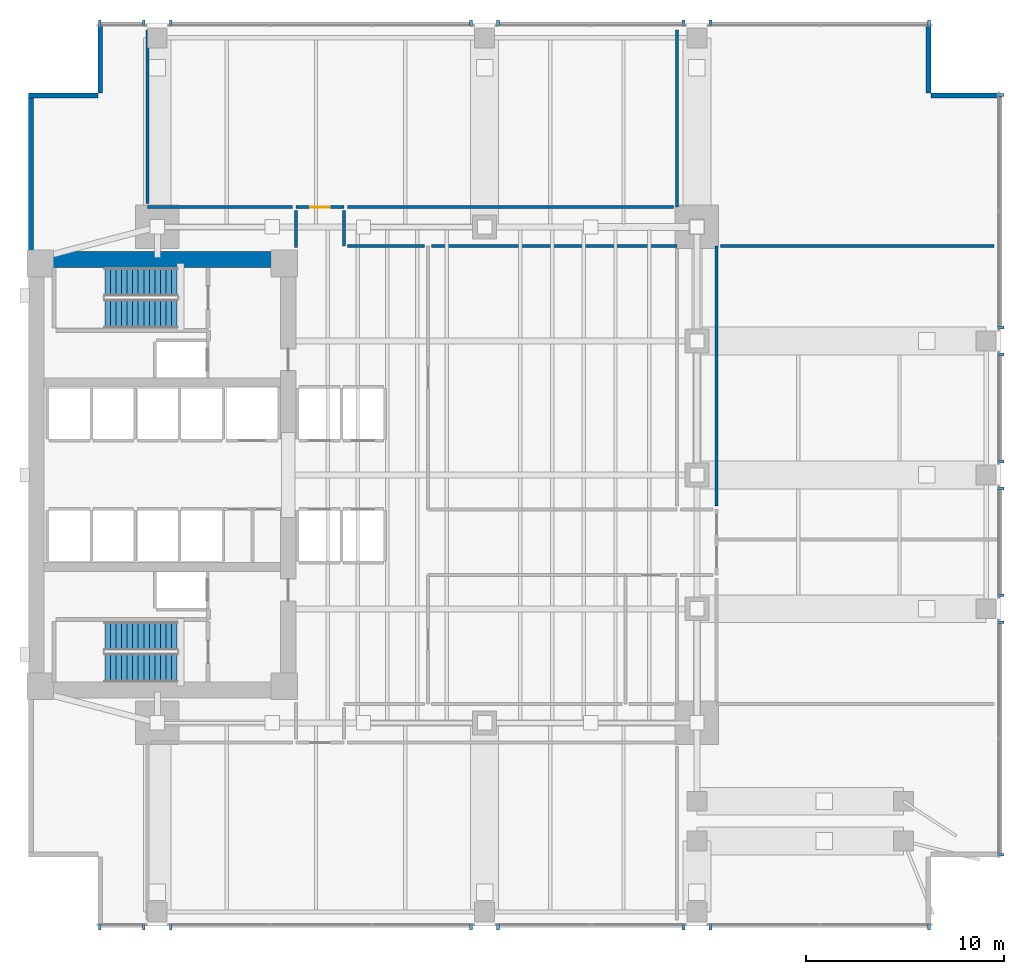
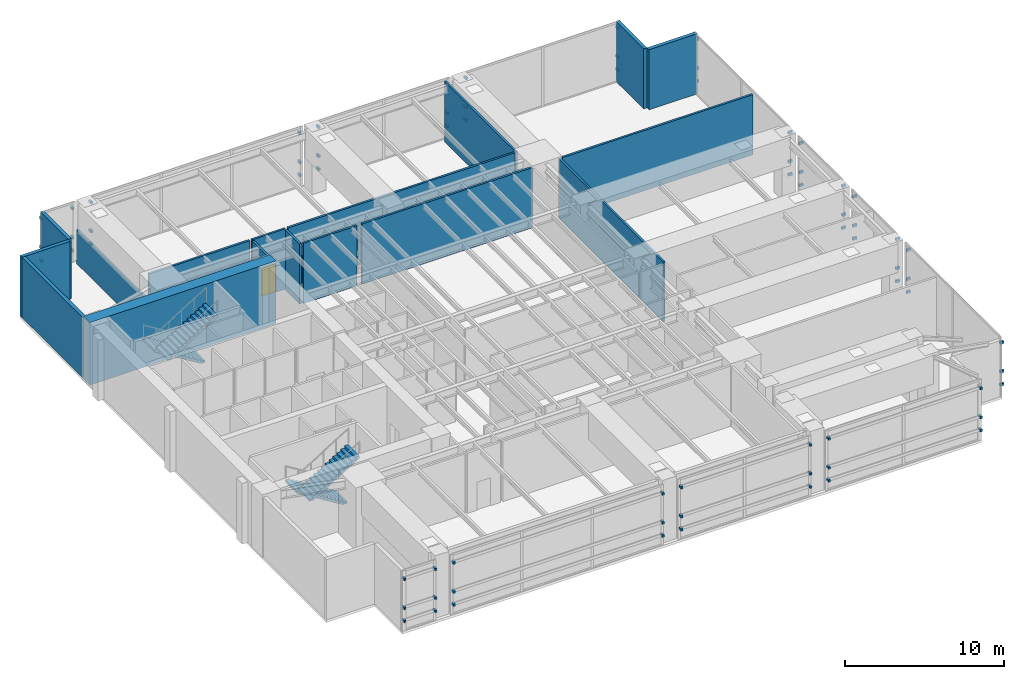
# One storey, part 10 of 14: 72 discrete accessories, 17 walls, 4 stair flights, 1 door, 1 opening, 2 elements without a shape of their own.
"""IFC4 building model written with IfcOpenShell, lengths in metres."""

from ifc_helpers import new_model, si_unit, direction, frame, frame_2d, origin, origin_2d, place, context, subcontext, project, spatial, polyline, rectangle, outline, extrude, material, layer, layer_set, type_object, element, fill, aggregate, save


model = new_model("IFC4")

# Units and contexts
model_context = context("Model", 3, precision=1e-05, world=origin(), true_north=direction((0.0, 1.0)))
body_context = subcontext(model_context, "Body", "Model", "MODEL_VIEW")
ifc_project = project(units=[si_unit("LENGTHUNIT", "METRE"), si_unit("AREAUNIT", "SQUARE_METRE"), si_unit("VOLUMEUNIT", "CUBIC_METRE"), si_unit("PLANEANGLEUNIT", "RADIAN"), si_unit("MASSUNIT", "GRAM", prefix="KILO")], contexts=[model_context])

# Site, building, storey
site_placement = place(None, origin())
site = spatial("IfcSite", under=ifc_project, at=site_placement, CompositionType="ELEMENT")
building_placement = place(site_placement, origin())
building = spatial("IfcBuilding", under=site, at=building_placement, Name="Kinhvarn Gate Tower", CompositionType="ELEMENT")
storey_placement = place(building_placement, frame((0.0, 0.0, 93.050048828125)))
storey = spatial("IfcBuildingStorey", under=building, at=storey_placement, Name="L24", CompositionType="ELEMENT", Elevation=93.050048828125)

# Walls
ifc_material_1 = material(Name="Concrete C70/85", Category="concrete")
ifc_layer_1 = layer(ifc_material_1, 0.800048828125)
ifc_layer_set_1 = layer_set([ifc_layer_1], Name="Concrete C70/85")
wall_type_1 = type_object("IfcWallType", Name="WL-CORE-800", PredefinedType="SHEAR", material=ifc_layer_set_1)
wall_1_placement = place(storey_placement, frame((4.5, 36.10009765625, 0.0), z_axis=(0.0, 0.0, 1.0), x_axis=(1.0, 0.0, 0.0)))
element("IfcWall", 1, at=wall_1_placement, inside=storey, type_object=wall_type_1, Name="Core North Shear Wall L24 800 mm", PredefinedType="SHEAR", context=body_context, shape_type="SweptSolid", body=[
    extrude(rectangle(XDim=13.5, YDim=0.800048828125, at=frame_2d((6.75, 0.0))), origin(), (0.0, 0.0, 1.0), 4.800048828125),
])
ifc_material_2 = material(Name="Fired architectural terracotta", Category="masonry")
ifc_layer_2 = layer(ifc_material_2, 0.25)
ifc_layer_set_2 = layer_set([ifc_layer_2], Name="Fired architectural terracotta")
wall_type_2 = type_object("IfcWallType", Name="WL-EXT-250", PredefinedType="SOLIDWALL", material=ifc_layer_set_2)
wall_2_placement = place(storey_placement, frame((4.625, 44.5, 0.0), z_axis=(0.0, 0.0, 1.0), x_axis=(0.0, -1.0, 0.0)))
element("IfcWall", 2, at=wall_2_placement, inside=storey, type_object=wall_type_2, Name="Exterior Solidwall Wall EW-250 (L24 West-North)", PredefinedType="SOLIDWALL", context=body_context, shape_type="SweptSolid", body=[
    extrude(rectangle(XDim=8.0, YDim=0.25, at=frame_2d((4.0, 0.0))), origin(), (0.0, 0.0, 1.0), 4.619873046875),
])
for number, where, z_axis, x_axis, name in (
    (3, (53.5, 44.375, 0.0), (0.0, 0.0, 1.0), (-1.0, 0.0, 0.0), "Exterior Solidwall Wall EW-250 (L24 NE-Notch-1)"),
    (4, (49.875, 44.5, 0.0), (0.0, 0.0, 1.0), (0.0, 1.0, 0.0), "Exterior Solidwall Wall EW-250 (L24 NE-Notch-2)"),
    (5, (8.125, 48.0, 0.0), (0.0, 0.0, 1.0), (0.0, -1.0, 0.0), "Exterior Solidwall Wall EW-250 (L24 NW-Notch-1)"),
    (6, (8.0, 44.375, 0.0), (0.0, 0.0, 1.0), (-1.0, 0.0, 0.0), "Exterior Solidwall Wall EW-250 (L24 NW-Notch-2)"),
):
    element("IfcWall", number, at=place(storey_placement, frame(where, z_axis=z_axis, x_axis=x_axis)), inside=storey, type_object=wall_type_2, Name=name, PredefinedType="SOLIDWALL", context=body_context, shape_type="SweptSolid", body=[
        extrude(rectangle(XDim=3.5, YDim=0.25, at=frame_2d((1.75, 0.0))), origin(), (0.0, 0.0, 1.0), 4.619873046875),
    ])

# Wall, opening, door
ifc_material_3 = material(Name="Gypsum acoustic partition board")
ifc_layer_3 = layer(ifc_material_3, 0.14990234375)
ifc_layer_set_3 = layer_set([ifc_layer_3], Name="Gypsum acoustic partition board")
wall_type_3 = type_object("IfcWallType", Name="WL-PRT-150F", PredefinedType="PARTITIONING", material=ifc_layer_set_3)
wall_3_placement = place(storey_placement, frame((18.0, 38.75, 0.0), z_axis=(0.0, 0.0, 1.0), x_axis=(1.0, 0.0, 0.0)))
wall_3 = element("IfcWall", 7, at=wall_3_placement, inside=storey, type_object=wall_type_3, Name="Interior Partition PW-150F (L24)", PredefinedType="PARTITIONING", context=body_context, shape_type="SweptSolid", body=[
    extrude(rectangle(XDim=2.39990234375, YDim=0.14990234375, at=frame_2d((1.199951171875, 0.0))), origin(), (0.0, 0.0, 1.0), 4.619873046875),
])
opening_placement = place(wall_3_placement, frame((0.699951171875, 0.0, 0.0)))
opening = element("IfcOpeningElement", 8, at=opening_placement, cuts=wall_3, Name="Opening FD-03", PredefinedType="OPENING", context=body_context, shape_type="SweptSolid", body=[
    extrude(rectangle(XDim=1.0, YDim=2.14990234375, at=frame_2d((0.5, 1.074951171875))), frame((0.0, 0.0849609375, 0.0), z_axis=(0.0, -1.0, 0.0), x_axis=(1.0, 0.0, 0.0)), (0.0, 0.0, 1.0), 0.169921875),
])
ifc_material_4 = material(Name="Anodised aluminium AW-6063", Category="aluminium")
door_type = type_object("IfcDoorType", Name="DR-FD-1000", OperationType="NOTDEFINED", PredefinedType="DOOR", material=ifc_material_4)
door_placement = place(opening_placement, origin())
door = element("IfcDoor", 9, at=door_placement, inside=storey, type_object=door_type, Name="Rated Plant & Corridor Fire Door 1000x2150 mm (L24)", OperationType="SINGLE_SWING_RIGHT", OverallHeight=2.14990234375, OverallWidth=1.0, PredefinedType="DOOR", context=body_context, shape_type="SweptSolid", body=[
    extrude(rectangle(XDim=1.0, YDim=2.14990234375, at=frame_2d((0.5, 1.074951171875))), frame((0.0, 0.02490234375, 0.0), z_axis=(0.0, -1.0, 0.0), x_axis=(1.0, 0.0, 0.0)), (0.0, 0.0, 1.0), 0.050048828125),
])
fill(opening, door)

# Walls
wall_4_placement = place(storey_placement, frame((18.0, 36.719970703125, 0.0), z_axis=(0.0, 0.0, 1.0), x_axis=(0.0, 1.0, 0.0)))
element("IfcWall", 10, at=wall_4_placement, inside=storey, type_object=wall_type_3, Name="Interior Partition PW-150F (L24)", PredefinedType="PARTITIONING", context=body_context, shape_type="SweptSolid", body=[
    extrude(rectangle(XDim=1.85009765625, YDim=0.14990234375, at=frame_2d((0.925048828125, 0.0))), origin(), (0.0, 0.0, 1.0), 4.619873046875),
])
wall_5_placement = place(storey_placement, frame((17.820068359375, 38.75, 0.0), z_axis=(0.0, 0.0, 1.0), x_axis=(-1.0, 0.0, 0.0)))
element("IfcWall", 11, at=wall_5_placement, inside=storey, type_object=wall_type_3, Name="Interior Partition PW-150F (L24)", PredefinedType="PARTITIONING", context=body_context, shape_type="SweptSolid", body=[
    extrude(rectangle(XDim=7.320068359375, YDim=0.14990234375, at=frame_2d((3.66015625, 0.0))), origin(), (0.0, 0.0, 1.0), 4.619873046875),
])
wall_6_placement = place(storey_placement, frame((10.5, 38.929931640625, 0.0), z_axis=(0.0, 0.0, 1.0), x_axis=(0.0, 1.0, 0.0)))
element("IfcWall", 12, at=wall_6_placement, inside=storey, type_object=wall_type_3, Name="Interior Partition PW-150F (L24)", PredefinedType="PARTITIONING", context=body_context, shape_type="SweptSolid", body=[
    extrude(rectangle(XDim=8.75, YDim=0.14990234375, at=frame_2d((4.375, 0.0))), origin(), (0.0, 0.0, 1.0), 2.599853515625),
])
wall_7_placement = place(storey_placement, frame((37.199951171875, 47.679931640625, 0.0), z_axis=(0.0, 0.0, 1.0), x_axis=(0.0, -1.0, 0.0)))
element("IfcWall", 13, at=wall_7_placement, inside=storey, type_object=wall_type_3, Name="Interior Partition PW-150F (L24)", PredefinedType="PARTITIONING", context=body_context, shape_type="SweptSolid", body=[
    extrude(rectangle(XDim=8.929931640625, YDim=0.14990234375, at=frame_2d((4.46484375, 0.0))), origin(), (0.0, 0.0, 1.0), 4.619873046875),
])
wall_8_placement = place(storey_placement, frame((37.02001953125, 38.75, 0.0), z_axis=(0.0, 0.0, 1.0), x_axis=(-1.0, 0.0, 0.0)))
element("IfcWall", 14, at=wall_8_placement, inside=storey, type_object=wall_type_3, Name="Interior Partition PW-150F (L24)", PredefinedType="PARTITIONING", context=body_context, shape_type="SweptSolid", body=[
    extrude(rectangle(XDim=16.43994140625, YDim=0.14990234375, at=frame_2d((8.219970703125, 0.0))), origin(), (0.0, 0.0, 1.0), 4.619873046875),
])
wall_9_placement = place(storey_placement, frame((20.39990234375, 38.570068359375, 0.0), z_axis=(0.0, 0.0, 1.0), x_axis=(0.0, -1.0, 0.0)))
element("IfcWall", 15, at=wall_9_placement, inside=storey, type_object=wall_type_3, Name="Interior Partition PW-150F (L24)", PredefinedType="PARTITIONING", context=body_context, shape_type="SweptSolid", body=[
    extrude(rectangle(XDim=1.77001953125, YDim=0.14990234375, at=frame_2d((0.885009765625, 0.0))), origin(), (0.0, 0.0, 1.0), 4.619873046875),
])
wall_10_placement = place(storey_placement, frame((20.580078125, 36.800048828125, 0.0), z_axis=(0.0, 0.0, 1.0), x_axis=(1.0, 0.0, 0.0)))
element("IfcWall", 16, at=wall_10_placement, inside=storey, type_object=wall_type_3, Name="Interior Partition PW-150F (L24)", PredefinedType="PARTITIONING", context=body_context, shape_type="SweptSolid", body=[
    extrude(rectangle(XDim=3.889892578125, YDim=0.14990234375, at=frame_2d((1.94482421875, 0.0))), origin(), (0.0, 0.0, 1.0), 4.619873046875),
])
wall_11_placement = place(storey_placement, frame((24.830078125, 36.800048828125, 0.0), z_axis=(0.0, 0.0, 1.0), x_axis=(1.0, 0.0, 0.0)))
element("IfcWall", 17, at=wall_11_placement, inside=storey, type_object=wall_type_3, Name="Interior Partition PW-150F (L24)", PredefinedType="PARTITIONING", context=body_context, shape_type="SweptSolid", body=[
    extrude(rectangle(XDim=12.369873046875, YDim=0.14990234375, at=frame_2d((6.18505859375, 0.0))), origin(), (0.0, 0.0, 1.0), 4.619873046875),
])
wall_12_placement = place(storey_placement, frame((39.199951171875, 23.679931640625, 0.0), z_axis=(0.0, 0.0, 1.0), x_axis=(0.0, 1.0, 0.0)))
element("IfcWall", 18, at=wall_12_placement, inside=storey, type_object=wall_type_3, Name="Interior Partition PW-150F (L24)", PredefinedType="PARTITIONING", context=body_context, shape_type="SweptSolid", body=[
    extrude(rectangle(XDim=13.1201171875, YDim=0.14990234375, at=frame_2d((6.56005859375, 0.0))), origin(), (0.0, 0.0, 1.0), 4.619873046875),
])
wall_13_placement = place(storey_placement, frame((39.3798828125, 36.800048828125, 0.0), z_axis=(0.0, 0.0, 1.0), x_axis=(1.0, 0.0, 0.0)))
element("IfcWall", 19, at=wall_13_placement, inside=storey, type_object=wall_type_3, Name="Interior Partition PW-150F (L24)", PredefinedType="PARTITIONING", context=body_context, shape_type="SweptSolid", body=[
    extrude(rectangle(XDim=13.800048828125, YDim=0.14990234375, at=frame_2d((6.89990234375, 0.0))), origin(), (0.0, 0.0, 1.0), 4.619873046875),
])

# Stair, stair flights
ifc_material_5 = material(Name="Concrete C40/50", Category="concrete")
stair_type = type_object("IfcStairType", Name="STR-DLG-171", PredefinedType="HALF_TURN_STAIR", material=ifc_material_5)
stair_1_placement = place(storey_placement, origin())
stair_1 = element("IfcStair", 20, at=stair_1_placement, inside=storey, type_object=stair_type, Name="L24 Core Smokeproof Exit Stair ST1", PredefinedType="HALF_TURN_STAIR")
stair_flight_type = type_object("IfcStairFlightType", Name="STF-DLG-171", PredefinedType="STRAIGHT", material=ifc_material_5)
stair_flight_1_placement = place(storey_placement, frame((12.0, 17.125, 0.0), z_axis=(0.0, 0.0, 1.0), x_axis=(-1.0, 0.0, 0.0)))
stair_flight_1 = element("IfcStairFlight", 21, at=stair_flight_1_placement, type_object=stair_flight_type, Name="ST1 flight 1", NumberOfRisers=14, NumberOfTreads=13, PredefinedType="STRAIGHT", RiserHeight=0.171428571, TreadLength=0.28, context=body_context, shape_type="SweptSolid", body=[
    extrude(outline(polyline([(0.0, 0.0), (0.0, 0.17138671875), (0.280029296875, 0.17138671875), (0.280029296875, 0.3427734375), (0.56005859375, 0.3427734375), (0.56005859375, 0.514404296875), (0.840087890625, 0.514404296875), (0.840087890625, 0.685791015625), (1.1201171875, 0.685791015625), (1.1201171875, 0.857177734375), (1.39990234375, 0.857177734375), (1.39990234375, 1.028564453125), (1.679931640625, 1.028564453125), (1.679931640625, 1.199951171875), (1.9599609375, 1.199951171875), (1.9599609375, 1.371337890625), (2.239990234375, 1.371337890625), (2.239990234375, 1.54296875), (2.52001953125, 1.54296875), (2.52001953125, 1.71435546875), (2.800048828125, 1.71435546875), (2.800048828125, 1.8857421875), (3.080078125, 1.8857421875), (3.080078125, 2.05712890625), (3.360107421875, 2.05712890625), (3.360107421875, 2.228515625), (3.639892578125, 2.228515625), (3.639892578125, 2.39990234375), (3.639892578125, 2.052734375), (0.287109375, 0.0), (0.0, 0.0)])), frame((0.0, 0.72509765625, 0.0), z_axis=(0.0, -1.0, 0.0), x_axis=(1.0, 0.0, 0.0)), (0.0, 0.0, 1.0), 1.449951171875),
])
stair_flight_2_placement = place(storey_placement, frame((8.360107421875, 15.52490234375, 2.39990234375), z_axis=(0.0, 0.0, 1.0), x_axis=(1.0, 0.0, 0.0)))
stair_flight_2 = element("IfcStairFlight", 22, at=stair_flight_2_placement, type_object=stair_flight_type, Name="ST1 flight 2", NumberOfRisers=14, NumberOfTreads=13, PredefinedType="STRAIGHT", RiserHeight=0.171428571, TreadLength=0.28, context=body_context, shape_type="SweptSolid", body=[
    extrude(outline(polyline([(0.0, 0.0), (0.0, 0.17138671875), (0.280029296875, 0.17138671875), (0.280029296875, 0.3427734375), (0.56005859375, 0.3427734375), (0.56005859375, 0.514404296875), (0.840087890625, 0.514404296875), (0.840087890625, 0.685791015625), (1.1201171875, 0.685791015625), (1.1201171875, 0.857177734375), (1.39990234375, 0.857177734375), (1.39990234375, 1.028564453125), (1.679931640625, 1.028564453125), (1.679931640625, 1.199951171875), (1.9599609375, 1.199951171875), (1.9599609375, 1.371337890625), (2.239990234375, 1.371337890625), (2.239990234375, 1.54296875), (2.52001953125, 1.54296875), (2.52001953125, 1.71435546875), (2.800048828125, 1.71435546875), (2.800048828125, 1.8857421875), (3.080078125, 1.8857421875), (3.080078125, 2.05712890625), (3.360107421875, 2.05712890625), (3.360107421875, 2.228515625), (3.639892578125, 2.228515625), (3.639892578125, 2.39990234375), (3.639892578125, 2.052734375), (0.287109375, 0.0), (0.0, 0.0)])), frame((0.0, 0.72509765625, 0.0), z_axis=(0.0, -1.0, 0.0), x_axis=(1.0, 0.0, 0.0)), (0.0, 0.0, 1.0), 1.449951171875),
])
aggregate(stair_1, [stair_flight_1, stair_flight_2])

stair_2_placement = place(storey_placement, origin())
stair_2 = element("IfcStair", 23, at=stair_2_placement, inside=storey, type_object=stair_type, Name="L24 Core Smokeproof Exit Stair ST2", PredefinedType="HALF_TURN_STAIR")
stair_flight_3_placement = place(storey_placement, frame((12.0, 34.97509765625, 0.0), z_axis=(0.0, 0.0, 1.0), x_axis=(-1.0, 0.0, 0.0)))
stair_flight_3 = element("IfcStairFlight", 24, at=stair_flight_3_placement, type_object=stair_flight_type, Name="ST2 flight 1", NumberOfRisers=14, NumberOfTreads=13, PredefinedType="STRAIGHT", RiserHeight=0.171428571, TreadLength=0.28, context=body_context, shape_type="SweptSolid", body=[
    extrude(outline(polyline([(0.0, 0.0), (0.0, 0.17138671875), (0.280029296875, 0.17138671875), (0.280029296875, 0.3427734375), (0.56005859375, 0.3427734375), (0.56005859375, 0.514404296875), (0.840087890625, 0.514404296875), (0.840087890625, 0.685791015625), (1.1201171875, 0.685791015625), (1.1201171875, 0.857177734375), (1.39990234375, 0.857177734375), (1.39990234375, 1.028564453125), (1.679931640625, 1.028564453125), (1.679931640625, 1.199951171875), (1.9599609375, 1.199951171875), (1.9599609375, 1.371337890625), (2.239990234375, 1.371337890625), (2.239990234375, 1.54296875), (2.52001953125, 1.54296875), (2.52001953125, 1.71435546875), (2.800048828125, 1.71435546875), (2.800048828125, 1.8857421875), (3.080078125, 1.8857421875), (3.080078125, 2.05712890625), (3.360107421875, 2.05712890625), (3.360107421875, 2.228515625), (3.639892578125, 2.228515625), (3.639892578125, 2.39990234375), (3.639892578125, 2.052734375), (0.287109375, 0.0), (0.0, 0.0)])), frame((0.0, 0.72509765625, 0.0), z_axis=(0.0, -1.0, 0.0), x_axis=(1.0, 0.0, 0.0)), (0.0, 0.0, 1.0), 1.449951171875),
])
stair_flight_4_placement = place(storey_placement, frame((8.360107421875, 33.375, 2.39990234375), z_axis=(0.0, 0.0, 1.0), x_axis=(1.0, 0.0, 0.0)))
stair_flight_4 = element("IfcStairFlight", 25, at=stair_flight_4_placement, type_object=stair_flight_type, Name="ST2 flight 2", NumberOfRisers=14, NumberOfTreads=13, PredefinedType="STRAIGHT", RiserHeight=0.171428571, TreadLength=0.28, context=body_context, shape_type="SweptSolid", body=[
    extrude(outline(polyline([(0.0, 0.0), (0.0, 0.17138671875), (0.280029296875, 0.17138671875), (0.280029296875, 0.3427734375), (0.56005859375, 0.3427734375), (0.56005859375, 0.514404296875), (0.840087890625, 0.514404296875), (0.840087890625, 0.685791015625), (1.1201171875, 0.685791015625), (1.1201171875, 0.857177734375), (1.39990234375, 0.857177734375), (1.39990234375, 1.028564453125), (1.679931640625, 1.028564453125), (1.679931640625, 1.199951171875), (1.9599609375, 1.199951171875), (1.9599609375, 1.371337890625), (2.239990234375, 1.371337890625), (2.239990234375, 1.54296875), (2.52001953125, 1.54296875), (2.52001953125, 1.71435546875), (2.800048828125, 1.71435546875), (2.800048828125, 1.8857421875), (3.080078125, 1.8857421875), (3.080078125, 2.05712890625), (3.360107421875, 2.05712890625), (3.360107421875, 2.228515625), (3.639892578125, 2.228515625), (3.639892578125, 2.39990234375), (3.639892578125, 2.052734375), (0.287109375, 0.0), (0.0, 0.0)])), frame((0.0, 0.72509765625, 0.0), z_axis=(0.0, -1.0, 0.0), x_axis=(1.0, 0.0, 0.0)), (0.0, 0.0, 1.0), 1.449951171875),
])
aggregate(stair_2, [stair_flight_3, stair_flight_4])

# Discrete accessories
discrete_accessory_type = type_object("IfcDiscreteAccessoryType", Name="ACC-BRK-01", PredefinedType="BRACKET", material=ifc_material_4)
for number, where, z_axis, x_axis, name in (
    (26, (8.10009765625, 2.4599609375, 0.759765625), (0.0, 0.0, 1.0), (1.0, 0.0, 0.0), "Baguette Support Bracket BK-01 (L24)"),
    (27, (8.10009765625, 2.4599609375, 1.759765625), (0.0, 0.0, 1.0), (1.0, 0.0, 0.0), "Baguette Support Bracket BK-01 (L24)"),
    (28, (8.10009765625, 2.4599609375, 3.97998046875), (0.0, 0.0, 1.0), (1.0, 0.0, 0.0), "Baguette Support Bracket BK-01 (L24)"),
    (29, (10.320068359375, 2.4599609375, 0.759765625), (0.0, 0.0, 1.0), (1.0, 0.0, 0.0), "Baguette Support Bracket BK-01 (L24)"),
    (30, (10.320068359375, 2.4599609375, 1.759765625), (0.0, 0.0, 1.0), (1.0, 0.0, 0.0), "Baguette Support Bracket BK-01 (L24)"),
    (31, (10.320068359375, 2.4599609375, 3.97998046875), (0.0, 0.0, 1.0), (1.0, 0.0, 0.0), "Baguette Support Bracket BK-01 (L24)"),
    (32, (11.679931640625, 2.4599609375, 0.759765625), (0.0, 0.0, 1.0), (1.0, 0.0, 0.0), "Baguette Support Bracket BK-01 (L24)"),
    (33, (11.679931640625, 2.4599609375, 1.759765625), (0.0, 0.0, 1.0), (1.0, 0.0, 0.0), "Baguette Support Bracket BK-01 (L24)"),
    (34, (11.679931640625, 2.4599609375, 3.97998046875), (0.0, 0.0, 1.0), (1.0, 0.0, 0.0), "Baguette Support Bracket BK-01 (L24)"),
    (35, (26.820068359375, 2.4599609375, 0.759765625), (0.0, 0.0, 1.0), (1.0, 0.0, 0.0), "Baguette Support Bracket BK-01 (L24)"),
    (36, (26.820068359375, 2.4599609375, 1.759765625), (0.0, 0.0, 1.0), (1.0, 0.0, 0.0), "Baguette Support Bracket BK-01 (L24)"),
    (37, (26.820068359375, 2.4599609375, 3.97998046875), (0.0, 0.0, 1.0), (1.0, 0.0, 0.0), "Baguette Support Bracket BK-01 (L24)"),
    (38, (28.179931640625, 2.4599609375, 0.759765625), (0.0, 0.0, 1.0), (1.0, 0.0, 0.0), "Baguette Support Bracket BK-01 (L24)"),
    (39, (28.179931640625, 2.4599609375, 1.759765625), (0.0, 0.0, 1.0), (1.0, 0.0, 0.0), "Baguette Support Bracket BK-01 (L24)"),
    (40, (28.179931640625, 2.4599609375, 3.97998046875), (0.0, 0.0, 1.0), (1.0, 0.0, 0.0), "Baguette Support Bracket BK-01 (L24)"),
    (41, (37.52001953125, 2.4599609375, 0.759765625), (0.0, 0.0, 1.0), (1.0, 0.0, 0.0), "Baguette Support Bracket BK-01 (L24)"),
    (42, (37.52001953125, 2.4599609375, 1.759765625), (0.0, 0.0, 1.0), (1.0, 0.0, 0.0), "Baguette Support Bracket BK-01 (L24)"),
    (43, (37.52001953125, 2.4599609375, 3.97998046875), (0.0, 0.0, 1.0), (1.0, 0.0, 0.0), "Baguette Support Bracket BK-01 (L24)"),
    (44, (38.8798828125, 2.4599609375, 0.759765625), (0.0, 0.0, 1.0), (1.0, 0.0, 0.0), "Baguette Support Bracket BK-01 (L24)"),
    (45, (38.8798828125, 2.4599609375, 1.759765625), (0.0, 0.0, 1.0), (1.0, 0.0, 0.0), "Baguette Support Bracket BK-01 (L24)"),
    (46, (38.8798828125, 2.4599609375, 3.97998046875), (0.0, 0.0, 1.0), (1.0, 0.0, 0.0), "Baguette Support Bracket BK-01 (L24)"),
    (47, (49.89990234375, 2.4599609375, 0.759765625), (0.0, 0.0, 1.0), (1.0, 0.0, 0.0), "Baguette Support Bracket BK-01 (L24)"),
    (48, (49.89990234375, 2.4599609375, 1.759765625), (0.0, 0.0, 1.0), (1.0, 0.0, 0.0), "Baguette Support Bracket BK-01 (L24)"),
    (49, (49.89990234375, 2.4599609375, 3.97998046875), (0.0, 0.0, 1.0), (1.0, 0.0, 0.0), "Baguette Support Bracket BK-01 (L24)"),
    (50, (49.89990234375, 48.0400390625, 0.759765625), (0.0, 0.0, 1.0), (-1.0, 0.0, 0.0), "Baguette Support Bracket BK-01 (L24)"),
    (51, (49.89990234375, 48.0400390625, 1.759765625), (0.0, 0.0, 1.0), (-1.0, 0.0, 0.0), "Baguette Support Bracket BK-01 (L24)"),
    (52, (49.89990234375, 48.0400390625, 3.97998046875), (0.0, 0.0, 1.0), (-1.0, 0.0, 0.0), "Baguette Support Bracket BK-01 (L24)"),
    (53, (38.8798828125, 48.0400390625, 0.759765625), (0.0, 0.0, 1.0), (-1.0, 0.0, 0.0), "Baguette Support Bracket BK-01 (L24)"),
    (54, (38.8798828125, 48.0400390625, 1.759765625), (0.0, 0.0, 1.0), (-1.0, 0.0, 0.0), "Baguette Support Bracket BK-01 (L24)"),
    (55, (38.8798828125, 48.0400390625, 3.97998046875), (0.0, 0.0, 1.0), (-1.0, 0.0, 0.0), "Baguette Support Bracket BK-01 (L24)"),
    (56, (37.52001953125, 48.0400390625, 0.759765625), (0.0, 0.0, 1.0), (-1.0, 0.0, 0.0), "Baguette Support Bracket BK-01 (L24)"),
    (57, (37.52001953125, 48.0400390625, 1.759765625), (0.0, 0.0, 1.0), (-1.0, 0.0, 0.0), "Baguette Support Bracket BK-01 (L24)"),
    (58, (37.52001953125, 48.0400390625, 3.97998046875), (0.0, 0.0, 1.0), (-1.0, 0.0, 0.0), "Baguette Support Bracket BK-01 (L24)"),
    (59, (28.179931640625, 48.0400390625, 0.759765625), (0.0, 0.0, 1.0), (-1.0, 0.0, 0.0), "Baguette Support Bracket BK-01 (L24)"),
    (60, (28.179931640625, 48.0400390625, 1.759765625), (0.0, 0.0, 1.0), (-1.0, 0.0, 0.0), "Baguette Support Bracket BK-01 (L24)"),
    (61, (28.179931640625, 48.0400390625, 3.97998046875), (0.0, 0.0, 1.0), (-1.0, 0.0, 0.0), "Baguette Support Bracket BK-01 (L24)"),
    (62, (26.820068359375, 48.0400390625, 0.759765625), (0.0, 0.0, 1.0), (-1.0, 0.0, 0.0), "Baguette Support Bracket BK-01 (L24)"),
    (63, (26.820068359375, 48.0400390625, 1.759765625), (0.0, 0.0, 1.0), (-1.0, 0.0, 0.0), "Baguette Support Bracket BK-01 (L24)"),
    (64, (26.820068359375, 48.0400390625, 3.97998046875), (0.0, 0.0, 1.0), (-1.0, 0.0, 0.0), "Baguette Support Bracket BK-01 (L24)"),
    (65, (11.679931640625, 48.0400390625, 0.759765625), (0.0, 0.0, 1.0), (-1.0, 0.0, 0.0), "Baguette Support Bracket BK-01 (L24)"),
    (66, (11.679931640625, 48.0400390625, 1.759765625), (0.0, 0.0, 1.0), (-1.0, 0.0, 0.0), "Baguette Support Bracket BK-01 (L24)"),
    (67, (11.679931640625, 48.0400390625, 3.97998046875), (0.0, 0.0, 1.0), (-1.0, 0.0, 0.0), "Baguette Support Bracket BK-01 (L24)"),
    (68, (10.320068359375, 48.0400390625, 0.759765625), (0.0, 0.0, 1.0), (-1.0, 0.0, 0.0), "Baguette Support Bracket BK-01 (L24)"),
    (69, (10.320068359375, 48.0400390625, 1.759765625), (0.0, 0.0, 1.0), (-1.0, 0.0, 0.0), "Baguette Support Bracket BK-01 (L24)"),
    (70, (10.320068359375, 48.0400390625, 3.97998046875), (0.0, 0.0, 1.0), (-1.0, 0.0, 0.0), "Baguette Support Bracket BK-01 (L24)"),
    (71, (8.10009765625, 48.0400390625, 0.759765625), (0.0, 0.0, 1.0), (-1.0, 0.0, 0.0), "Baguette Support Bracket BK-01 (L24)"),
    (72, (8.10009765625, 48.0400390625, 1.759765625), (0.0, 0.0, 1.0), (-1.0, 0.0, 0.0), "Baguette Support Bracket BK-01 (L24)"),
    (73, (8.10009765625, 48.0400390625, 3.97998046875), (0.0, 0.0, 1.0), (-1.0, 0.0, 0.0), "Baguette Support Bracket BK-01 (L24)"),
    (74, (53.5400390625, 6.10009765625, 0.759765625), (0.0, 0.0, 1.0), (0.0, 1.0, 0.0), "Baguette Support Bracket BK-01 (L24)"),
    (75, (53.5400390625, 6.10009765625, 1.759765625), (0.0, 0.0, 1.0), (0.0, 1.0, 0.0), "Baguette Support Bracket BK-01 (L24)"),
    (76, (53.5400390625, 6.10009765625, 3.97998046875), (0.0, 0.0, 1.0), (0.0, 1.0, 0.0), "Baguette Support Bracket BK-01 (L24)"),
    (77, (53.5400390625, 17.820068359375, 0.759765625), (0.0, 0.0, 1.0), (0.0, 1.0, 0.0), "Baguette Support Bracket BK-01 (L24)"),
    (78, (53.5400390625, 17.820068359375, 1.759765625), (0.0, 0.0, 1.0), (0.0, 1.0, 0.0), "Baguette Support Bracket BK-01 (L24)"),
    (79, (53.5400390625, 17.820068359375, 3.97998046875), (0.0, 0.0, 1.0), (0.0, 1.0, 0.0), "Baguette Support Bracket BK-01 (L24)"),
    (80, (53.5400390625, 19.179931640625, 0.759765625), (0.0, 0.0, 1.0), (0.0, 1.0, 0.0), "Baguette Support Bracket BK-01 (L24)"),
    (81, (53.5400390625, 19.179931640625, 1.759765625), (0.0, 0.0, 1.0), (0.0, 1.0, 0.0), "Baguette Support Bracket BK-01 (L24)"),
    (82, (53.5400390625, 19.179931640625, 3.97998046875), (0.0, 0.0, 1.0), (0.0, 1.0, 0.0), "Baguette Support Bracket BK-01 (L24)"),
    (83, (53.5400390625, 24.570068359375, 0.759765625), (0.0, 0.0, 1.0), (0.0, 1.0, 0.0), "Baguette Support Bracket BK-01 (L24)"),
    (84, (53.5400390625, 24.570068359375, 1.759765625), (0.0, 0.0, 1.0), (0.0, 1.0, 0.0), "Baguette Support Bracket BK-01 (L24)"),
    (85, (53.5400390625, 24.570068359375, 3.97998046875), (0.0, 0.0, 1.0), (0.0, 1.0, 0.0), "Baguette Support Bracket BK-01 (L24)"),
    (86, (53.5400390625, 25.929931640625, 0.759765625), (0.0, 0.0, 1.0), (0.0, 1.0, 0.0), "Baguette Support Bracket BK-01 (L24)"),
    (87, (53.5400390625, 25.929931640625, 1.759765625), (0.0, 0.0, 1.0), (0.0, 1.0, 0.0), "Baguette Support Bracket BK-01 (L24)"),
    (88, (53.5400390625, 25.929931640625, 3.97998046875), (0.0, 0.0, 1.0), (0.0, 1.0, 0.0), "Baguette Support Bracket BK-01 (L24)"),
    (89, (53.5400390625, 31.320068359375, 0.759765625), (0.0, 0.0, 1.0), (0.0, 1.0, 0.0), "Baguette Support Bracket BK-01 (L24)"),
    (90, (53.5400390625, 31.320068359375, 1.759765625), (0.0, 0.0, 1.0), (0.0, 1.0, 0.0), "Baguette Support Bracket BK-01 (L24)"),
    (91, (53.5400390625, 31.320068359375, 3.97998046875), (0.0, 0.0, 1.0), (0.0, 1.0, 0.0), "Baguette Support Bracket BK-01 (L24)"),
    (92, (53.5400390625, 32.679931640625, 0.759765625), (0.0, 0.0, 1.0), (0.0, 1.0, 0.0), "Baguette Support Bracket BK-01 (L24)"),
    (93, (53.5400390625, 32.679931640625, 1.759765625), (0.0, 0.0, 1.0), (0.0, 1.0, 0.0), "Baguette Support Bracket BK-01 (L24)"),
    (94, (53.5400390625, 32.679931640625, 3.97998046875), (0.0, 0.0, 1.0), (0.0, 1.0, 0.0), "Baguette Support Bracket BK-01 (L24)"),
    (95, (53.5400390625, 44.39990234375, 0.759765625), (0.0, 0.0, 1.0), (0.0, 1.0, 0.0), "Baguette Support Bracket BK-01 (L24)"),
    (96, (53.5400390625, 44.39990234375, 1.759765625), (0.0, 0.0, 1.0), (0.0, 1.0, 0.0), "Baguette Support Bracket BK-01 (L24)"),
    (97, (53.5400390625, 44.39990234375, 3.97998046875), (0.0, 0.0, 1.0), (0.0, 1.0, 0.0), "Baguette Support Bracket BK-01 (L24)"),
):
    element("IfcDiscreteAccessory", number, at=place(storey_placement, frame(where, z_axis=z_axis, x_axis=x_axis)), inside=storey, type_object=discrete_accessory_type, Name=name, PredefinedType="BRACKET", context=body_context, shape_type="SweptSolid", body=[
        extrude(rectangle(XDim=0.139892578125, YDim=0.280029296875, at=origin_2d()), origin(), (0.0, 0.0, 1.0), 0.179931640625),
    ])

save(model, "model.ifc")
